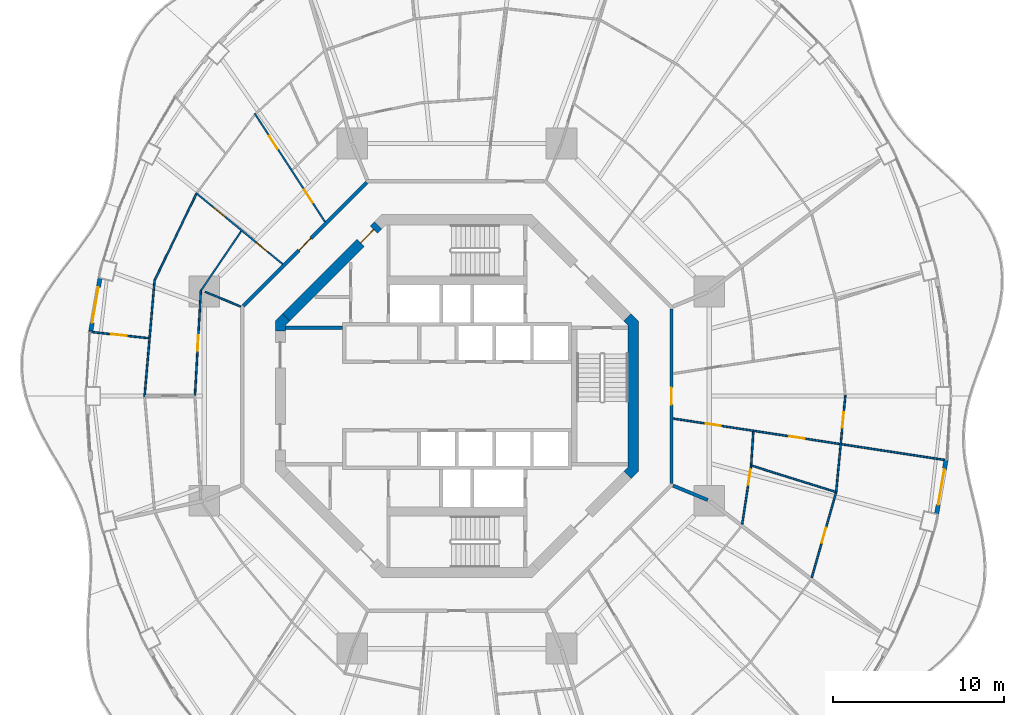
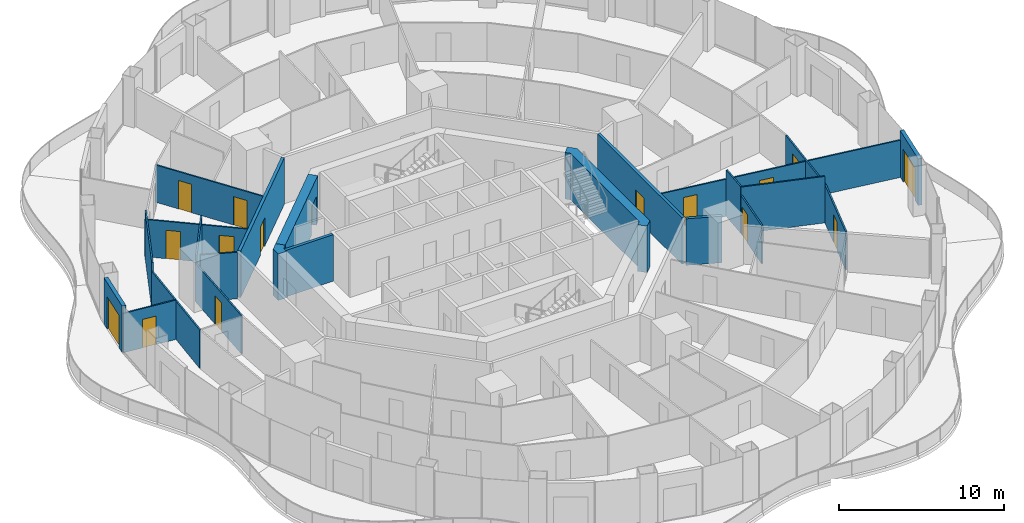
# One storey, part 13 of 19: 23 walls, 16 doors, 16 openings.
"""IFC4 building model written with IfcOpenShell, lengths in metres."""

from ifc_helpers import new_model, si_unit, direction, frame, frame_2d, origin, place, context, subcontext, project, spatial, polyline, rectangle, outline, extrude, material, layer, layer_set, type_object, element, fill, save


model = new_model("IFC4")

# Units and contexts
model_context = context("Model", 3, precision=1e-05, world=origin(), true_north=direction((0.0, 1.0)))
body_context = subcontext(model_context, "Body", "Model", "MODEL_VIEW")
ifc_project = project(units=[si_unit("LENGTHUNIT", "METRE"), si_unit("AREAUNIT", "SQUARE_METRE"), si_unit("VOLUMEUNIT", "CUBIC_METRE"), si_unit("PLANEANGLEUNIT", "RADIAN"), si_unit("MASSUNIT", "GRAM", prefix="KILO")], contexts=[model_context])

# Site, building, storey
site_placement = place(None, origin())
site = spatial("IfcSite", under=ifc_project, at=site_placement, CompositionType="ELEMENT")
building_placement = place(site_placement, origin())
building = spatial("IfcBuilding", under=site, at=building_placement, Name="Nagisa Residences", CompositionType="ELEMENT")
storey_placement = place(building_placement, frame((0.0, 0.0, 191.800048828125)))
storey = spatial("IfcBuildingStorey", under=building, at=storey_placement, Name="L48", CompositionType="ELEMENT", Elevation=191.800048828125)

# Wall
ifc_material_1 = material(Name="Gypsum board on steel studs", Category="steel")
ifc_layer_1 = layer(ifc_material_1, 0.199951171875)
ifc_layer_set_1 = layer_set([ifc_layer_1], Name="Apartment compartment wall EI60 200")
wall_type_1 = type_object("IfcWallType", Name="Apartment compartment wall EI60 200", PredefinedType="PARTITIONING", material=ifc_layer_set_1)
wall_1_placement = place(storey_placement, frame((12.6572265625, -5.24267578125, 0.0), z_axis=(0.0, 0.0, 1.0), x_axis=(0.92383017907, -0.382802560388, 0.0)))
element("IfcWall", 1, at=wall_1_placement, inside=storey, type_object=wall_type_1, Name="wall:L48:u08", PredefinedType="PARTITIONING", context=body_context, shape_type="SweptSolid", body=[
    extrude(rectangle(XDim=2.2001953125, YDim=0.199951171875, at=frame_2d((1.10009765625, 0.0))), origin(), (0.0, 0.0, 1.0), 3.43994140625),
])

# Wall, opening, door
ifc_material_2 = material(Name="Gypsum board on steel studs", Category="steel")
ifc_layer_2 = layer(ifc_material_2, 0.199951171875)
ifc_layer_set_2 = layer_set([ifc_layer_2], Name="Apartment entry wall EI60 200")
wall_type_2 = type_object("IfcWallType", Name="Apartment entry wall EI60 200", PredefinedType="PARTITIONING", material=ifc_layer_set_2)
wall_2_placement = place(storey_placement, frame((12.564697265625, -5.1044921875, 0.0), z_axis=(0.0, 0.0, 1.0), x_axis=(0.0, 1.0, 0.0)))
wall_2 = element("IfcWall", 2, at=wall_2_placement, inside=storey, type_object=wall_type_2, Name="wall:L48:u10", PredefinedType="PARTITIONING", context=body_context, shape_type="SweptSolid", body=[
    extrude(rectangle(XDim=10.208984375, YDim=0.199951171875, at=frame_2d((5.1044921875, 0.0))), origin(), (0.0, 0.0, 1.0), 3.43994140625),
])
opening_1_placement = place(wall_2_placement, frame((4.6044921875, 0.0, 0.0)))
opening_1 = element("IfcOpeningElement", 3, at=opening_1_placement, cuts=wall_2, Name="Opening L48-U22", PredefinedType="OPENING", context=body_context, shape_type="SweptSolid", body=[
    extrude(rectangle(XDim=1.0, YDim=2.10009765625, at=frame_2d((0.5, 1.050048828125))), frame((0.0, 0.10986328125, 0.0), z_axis=(0.0, -1.0, 0.0), x_axis=(1.0, 0.0, 0.0)), (0.0, 0.0, 1.0), 0.219970703125),
])
ifc_material_3 = material(Name="Timber fire door set", Category="wood")
door_type_1 = type_object("IfcDoorType", Name="Apartment entry door FD30S 1000x2100", OperationType="NOTDEFINED", PredefinedType="DOOR", material=ifc_material_3)
door_1_placement = place(opening_1_placement, frame((1.0, 0.0, 0.0), x_axis=(-1.0, 0.0, 0.0)))
door_1 = element("IfcDoor", 4, at=door_1_placement, inside=storey, type_object=door_type_1, Name="Entry door, Apartment 48C", OperationType="SINGLE_SWING_LEFT", OverallHeight=2.10009765625, OverallWidth=1.0, PredefinedType="DOOR", context=body_context, shape_type="SweptSolid", body=[
    extrude(rectangle(XDim=1.0, YDim=2.10009765625, at=frame_2d((0.5, 1.050048828125))), frame((0.0, 0.02490234375, 0.0), z_axis=(0.0, -1.0, 0.0), x_axis=(1.0, 0.0, 0.0)), (0.0, 0.0, 1.0), 0.050048828125),
])
fill(opening_1, door_1)

wall_3_placement = place(storey_placement, frame((-5.275146484375, 12.494140625, 0.0), z_axis=(0.0, 0.0, 1.0), x_axis=(-0.707106781187, -0.707106781187, 0.0)))
wall_3 = element("IfcWall", 5, at=wall_3_placement, inside=storey, type_object=wall_type_2, Name="wall:L48:u13", PredefinedType="PARTITIONING", context=body_context, shape_type="SweptSolid", body=[
    extrude(rectangle(XDim=10.209228515625, YDim=0.199951171875, at=frame_2d((5.1044921875, 0.0))), origin(), (0.0, 0.0, 1.0), 3.43994140625),
])
opening_2_placement = place(wall_3_placement, frame((4.6044921875, 0.0, 0.0)))
opening_2 = element("IfcOpeningElement", 6, at=opening_2_placement, cuts=wall_3, Name="Opening L48-U43", PredefinedType="OPENING", context=body_context, shape_type="SweptSolid", body=[
    extrude(rectangle(XDim=1.0, YDim=2.10009765625, at=frame_2d((0.5, 1.050048828125))), frame((0.0, 0.10986328125, 0.0), z_axis=(0.0, -1.0, 0.0), x_axis=(1.0, 0.0, 0.0)), (0.0, 0.0, 1.0), 0.219970703125),
])
door_2_placement = place(opening_2_placement, frame((1.0, 0.0, 0.0), x_axis=(-1.0, 0.0, 0.0)))
door_2 = element("IfcDoor", 7, at=door_2_placement, inside=storey, type_object=door_type_1, Name="Entry door, Apartment 48E", OperationType="SINGLE_SWING_RIGHT", OverallHeight=2.10009765625, OverallWidth=1.0, PredefinedType="DOOR", context=body_context, shape_type="SweptSolid", body=[
    extrude(rectangle(XDim=1.0, YDim=2.10009765625, at=frame_2d((0.5, 1.050048828125))), frame((0.0, 0.02490234375, 0.0), z_axis=(0.0, -1.0, 0.0), x_axis=(1.0, 0.0, 0.0)), (0.0, 0.0, 1.0), 0.050048828125),
])
fill(opening_2, door_2)

ifc_material_4 = material(Name="Gypsum board on steel studs", Category="steel")
ifc_layer_3 = layer(ifc_material_4, 0.10009765625)
ifc_layer_set_3 = layer_set([ifc_layer_3], Name="Apartment partition 100")
wall_type_3 = type_object("IfcWallType", Name="Apartment partition 100", PredefinedType="PARTITIONING", material=ifc_layer_set_3)
wall_4_placement = place(storey_placement, frame((22.743896484375, 0.0498046875, 0.0), z_axis=(0.0, 0.0, 1.0), x_axis=(-0.094931362305, -0.995483820286, 0.0)))
wall_4 = element("IfcWall", 8, at=wall_4_placement, inside=storey, type_object=wall_type_3, Name="wall:L48:u19", PredefinedType="PARTITIONING", context=body_context, shape_type="SweptSolid", body=[
    extrude(rectangle(XDim=5.747802734375, YDim=0.10009765625, at=frame_2d((2.8740234375, 0.0))), origin(), (0.0, 0.0, 1.0), 2.8369140625),
])
opening_3_placement = place(wall_4_placement, frame((1.011962890625, 0.0, 0.0)))
opening_3 = element("IfcOpeningElement", 9, at=opening_3_placement, cuts=wall_4, Name="Opening L48-U29", PredefinedType="OPENING", context=body_context, shape_type="SweptSolid", body=[
    extrude(rectangle(XDim=0.89990234375, YDim=2.10009765625, at=frame_2d((0.449951171875, 1.050048828125))), frame((0.0, 0.06005859375, 0.0), z_axis=(0.0, -1.0, 0.0), x_axis=(1.0, 0.0, 0.0)), (0.0, 0.0, 1.0), 0.1201171875),
])
ifc_material_5 = material(Name="Timber door set", Category="wood")
door_type_2 = type_object("IfcDoorType", Name="Apartment door 900x2100", OperationType="NOTDEFINED", PredefinedType="DOOR", material=ifc_material_5)
door_3_placement = place(opening_3_placement, origin())
door_3 = element("IfcDoor", 10, at=door_3_placement, inside=storey, type_object=door_type_2, Name="Door to family room, Apartment 48C", OperationType="SINGLE_SWING_LEFT", OverallHeight=2.10009765625, OverallWidth=0.89990234375, PredefinedType="DOOR", context=body_context, shape_type="SweptSolid", body=[
    extrude(rectangle(XDim=0.89990234375, YDim=2.10009765625, at=frame_2d((0.449951171875, 1.050048828125))), frame((0.0, 0.02490234375, 0.0), z_axis=(0.0, -1.0, 0.0), x_axis=(1.0, 0.0, 0.0)), (0.0, 0.0, 1.0), 0.050048828125),
])
fill(opening_3, door_3)

# Wall, openings, doors
wall_5_placement = place(storey_placement, frame((-7.71240234375, 10.1953125, 0.0), z_axis=(0.0, 0.0, 1.0), x_axis=(-0.544179442551, 0.838968851809, 0.0)))
wall_5 = element("IfcWall", 11, at=wall_5_placement, inside=storey, type_object=wall_type_3, Name="wall:L48:u45", PredefinedType="PARTITIONING", context=body_context, shape_type="SweptSolid", body=[
    extrude(rectangle(XDim=7.56640625, YDim=0.10009765625, at=frame_2d((3.783203125, 0.0))), origin(), (0.0, 0.0, 1.0), 2.755859375),
])
opening_4_placement = place(wall_5_placement, frame((1.3427734375, 0.0, 0.0)))
opening_4 = element("IfcOpeningElement", 12, at=opening_4_placement, cuts=wall_5, Name="Opening L48-U44", PredefinedType="OPENING", context=body_context, shape_type="SweptSolid", body=[
    extrude(rectangle(XDim=0.89990234375, YDim=2.10009765625, at=frame_2d((0.449951171875, 1.050048828125))), frame((0.0, 0.06005859375, 0.0), z_axis=(0.0, -1.0, 0.0), x_axis=(1.0, 0.0, 0.0)), (0.0, 0.0, 1.0), 0.1201171875),
])
opening_5_placement = place(wall_5_placement, frame((5.100830078125, 0.0, 0.0)))
opening_5 = element("IfcOpeningElement", 13, at=opening_5_placement, cuts=wall_5, Name="Opening L48-U46", PredefinedType="OPENING", context=body_context, shape_type="SweptSolid", body=[
    extrude(rectangle(XDim=0.89990234375, YDim=2.10009765625, at=frame_2d((0.449951171875, 1.050048828125))), frame((0.0, 0.06005859375, 0.0), z_axis=(0.0, -1.0, 0.0), x_axis=(1.0, 0.0, 0.0)), (0.0, 0.0, 1.0), 0.1201171875),
])
door_4_placement = place(opening_4_placement, frame((0.89990234375, 0.0, 0.0), x_axis=(-1.0, 0.0, 0.0)))
door_4 = element("IfcDoor", 14, at=door_4_placement, inside=storey, type_object=door_type_2, Name="Door to family bathroom, Apartment 48E", OperationType="SINGLE_SWING_LEFT", OverallHeight=2.10009765625, OverallWidth=0.89990234375, PredefinedType="DOOR", context=body_context, shape_type="SweptSolid", body=[
    extrude(rectangle(XDim=0.89990234375, YDim=2.10009765625, at=frame_2d((0.449951171875, 1.050048828125))), frame((0.0, 0.02490234375, 0.0), z_axis=(0.0, -1.0, 0.0), x_axis=(1.0, 0.0, 0.0)), (0.0, 0.0, 1.0), 0.050048828125),
])
fill(opening_4, door_4)
door_5_placement = place(opening_5_placement, frame((0.89990234375, 0.0, 0.0), x_axis=(-1.0, 0.0, 0.0)))
door_5 = element("IfcDoor", 15, at=door_5_placement, inside=storey, type_object=door_type_2, Name="Door to family bathroom, Apartment 48E", OperationType="SINGLE_SWING_LEFT", OverallHeight=2.10009765625, OverallWidth=0.89990234375, PredefinedType="DOOR", context=body_context, shape_type="SweptSolid", body=[
    extrude(rectangle(XDim=0.89990234375, YDim=2.10009765625, at=frame_2d((0.449951171875, 1.050048828125))), frame((0.0, 0.02490234375, 0.0), z_axis=(0.0, -1.0, 0.0), x_axis=(1.0, 0.0, 0.0)), (0.0, 0.0, 1.0), 0.050048828125),
])
fill(opening_5, door_5)

wall_6_placement = place(storey_placement, frame((-10.188720703125, 7.721435546875, 0.0), z_axis=(0.0, 0.0, 1.0), x_axis=(-0.773121441079, 0.634258021112, 0.0)))
wall_6 = element("IfcWall", 16, at=wall_6_placement, inside=storey, type_object=wall_type_3, Name="wall:L48:u48", PredefinedType="PARTITIONING", context=body_context, shape_type="SweptSolid", body=[
    extrude(rectangle(XDim=6.5771484375, YDim=0.10009765625, at=frame_2d((3.28857421875, 0.0))), origin(), (0.0, 0.0, 1.0), 2.755859375),
])
opening_6_placement = place(wall_6_placement, frame((1.103515625, 0.0, 0.0)))
opening_6 = element("IfcOpeningElement", 17, at=opening_6_placement, cuts=wall_6, Name="Opening L48-U45", PredefinedType="OPENING", context=body_context, shape_type="SweptSolid", body=[
    extrude(rectangle(XDim=0.89990234375, YDim=2.10009765625, at=frame_2d((0.449951171875, 1.050048828125))), frame((0.0, 0.06005859375, 0.0), z_axis=(0.0, -1.0, 0.0), x_axis=(1.0, 0.0, 0.0)), (0.0, 0.0, 1.0), 0.1201171875),
])
opening_7_placement = place(wall_6_placement, frame((4.366943359375, 0.0, 0.0)))
opening_7 = element("IfcOpeningElement", 18, at=opening_7_placement, cuts=wall_6, Name="Opening L48-U47", PredefinedType="OPENING", context=body_context, shape_type="SweptSolid", body=[
    extrude(rectangle(XDim=0.89990234375, YDim=2.10009765625, at=frame_2d((0.449951171875, 1.050048828125))), frame((0.0, 0.06005859375, 0.0), z_axis=(0.0, -1.0, 0.0), x_axis=(1.0, 0.0, 0.0)), (0.0, 0.0, 1.0), 0.1201171875),
])
door_6_placement = place(opening_6_placement, origin())
door_6 = element("IfcDoor", 19, at=door_6_placement, inside=storey, type_object=door_type_2, Name="Door to family bathroom, Apartment 48E", OperationType="SINGLE_SWING_LEFT", OverallHeight=2.10009765625, OverallWidth=0.89990234375, PredefinedType="DOOR", context=body_context, shape_type="SweptSolid", body=[
    extrude(rectangle(XDim=0.89990234375, YDim=2.10009765625, at=frame_2d((0.449951171875, 1.050048828125))), frame((0.0, 0.02490234375, 0.0), z_axis=(0.0, -1.0, 0.0), x_axis=(1.0, 0.0, 0.0)), (0.0, 0.0, 1.0), 0.050048828125),
])
fill(opening_6, door_6)
door_7_placement = place(opening_7_placement, origin())
door_7 = element("IfcDoor", 20, at=door_7_placement, inside=storey, type_object=door_type_2, Name="Door to kitchen, Apartment 48E", OperationType="SINGLE_SWING_LEFT", OverallHeight=2.10009765625, OverallWidth=0.89990234375, PredefinedType="DOOR", context=body_context, shape_type="SweptSolid", body=[
    extrude(rectangle(XDim=0.89990234375, YDim=2.10009765625, at=frame_2d((0.449951171875, 1.050048828125))), frame((0.0, 0.02490234375, 0.0), z_axis=(0.0, -1.0, 0.0), x_axis=(1.0, 0.0, 0.0)), (0.0, 0.0, 1.0), 0.050048828125),
])
fill(opening_7, door_7)

# Walls
wall_7_placement = place(storey_placement, frame((-12.61865234375, 9.650390625, 0.0), z_axis=(0.0, 0.0, 1.0), x_axis=(-0.561064907171, -0.827771810308, 0.0)))
element("IfcWall", 21, at=wall_7_placement, inside=storey, type_object=wall_type_3, Name="wall:L48:u49", PredefinedType="PARTITIONING", context=body_context, shape_type="SweptSolid", body=[
    extrude(rectangle(XDim=4.15869140625, YDim=0.10009765625, at=frame_2d((2.079345703125, 0.0))), origin(), (0.0, 0.0, 1.0), 3.43994140625),
])
wall_8_placement = place(storey_placement, frame((-15.2568359375, 11.816162109375, 0.0), z_axis=(0.0, 0.0, 1.0), x_axis=(-0.434040130629, -0.900893536997, 0.0)))
element("IfcWall", 22, at=wall_8_placement, inside=storey, type_object=wall_type_3, Name="wall:L48:u50", PredefinedType="PARTITIONING", context=body_context, shape_type="SweptSolid", body=[
    extrude(rectangle(XDim=5.557861328125, YDim=0.10009765625, at=frame_2d((2.77880859375, 0.0))), origin(), (0.0, 0.0, 1.0), 3.43994140625),
])
wall_9_placement = place(storey_placement, frame((-12.6572265625, 5.24267578125, 0.0), z_axis=(0.0, 0.0, 1.0), x_axis=(-0.923864733477, 0.382719158442, 0.0)))
element("IfcWall", 23, at=wall_9_placement, inside=storey, type_object=wall_type_3, Name="wall:L48:u51", PredefinedType="PARTITIONING", context=body_context, shape_type="SweptSolid", body=[
    extrude(rectangle(XDim=2.25, YDim=0.10009765625, at=frame_2d((1.125, 0.0))), origin(), (0.0, 0.0, 1.0), 3.43994140625),
])

# Wall, opening, door
wall_10_placement = place(storey_placement, frame((-14.97705078125, 6.216552734375, 0.0), z_axis=(0.0, 0.0, 1.0), x_axis=(-0.056325971574, -0.998412432277, 0.0)))
wall_10 = element("IfcWall", 24, at=wall_10_placement, inside=storey, type_object=wall_type_3, Name="wall:L48:u52", PredefinedType="PARTITIONING", context=body_context, shape_type="SweptSolid", body=[
    extrude(rectangle(XDim=6.176513671875, YDim=0.10009765625, at=frame_2d((3.08837890625, 0.0))), origin(), (0.0, 0.0, 1.0), 2.8369140625),
])
opening_8_placement = place(wall_10_placement, frame((2.6630859375, 0.0, 0.0)))
opening_8 = element("IfcOpeningElement", 25, at=opening_8_placement, cuts=wall_10, Name="Opening L48-U52", PredefinedType="OPENING", context=body_context, shape_type="SweptSolid", body=[
    extrude(rectangle(XDim=0.89990234375, YDim=2.10009765625, at=frame_2d((0.449951171875, 1.050048828125))), frame((0.0, 0.06005859375, 0.0), z_axis=(0.0, -1.0, 0.0), x_axis=(1.0, 0.0, 0.0)), (0.0, 0.0, 1.0), 0.1201171875),
])
door_8_placement = place(opening_8_placement, origin())
door_8 = element("IfcDoor", 26, at=door_8_placement, inside=storey, type_object=door_type_2, Name="Door to store, Apartment 48E", OperationType="SINGLE_SWING_RIGHT", OverallHeight=2.10009765625, OverallWidth=0.89990234375, PredefinedType="DOOR", context=body_context, shape_type="SweptSolid", body=[
    extrude(rectangle(XDim=0.89990234375, YDim=2.10009765625, at=frame_2d((0.449951171875, 1.050048828125))), frame((0.0, 0.02490234375, 0.0), z_axis=(0.0, -1.0, 0.0), x_axis=(1.0, 0.0, 0.0)), (0.0, 0.0, 1.0), 0.050048828125),
])
fill(opening_8, door_8)

# Wall
wall_11_placement = place(storey_placement, frame((-17.686767578125, 6.813720703125, 0.0), z_axis=(0.0, 0.0, 1.0), x_axis=(-0.086010249709, -0.996294252189, 0.0)))
element("IfcWall", 27, at=wall_11_placement, inside=storey, type_object=wall_type_3, Name="wall:L48:u53", PredefinedType="PARTITIONING", context=body_context, shape_type="SweptSolid", body=[
    extrude(rectangle(XDim=6.88916015625, YDim=0.10009765625, at=frame_2d((3.444580078125, 0.0))), origin(), (0.0, 0.0, 1.0), 2.8369140625),
])

# Wall, opening, door
wall_12_placement = place(storey_placement, frame((-18.03271484375, 3.387451171875, 0.0), z_axis=(0.0, 0.0, 1.0), x_axis=(-0.994194772207, 0.107595329438, 0.0)))
wall_12 = element("IfcWall", 28, at=wall_12_placement, inside=storey, type_object=wall_type_3, Name="wall:L48:u54", PredefinedType="PARTITIONING", context=body_context, shape_type="SweptSolid", body=[
    extrude(rectangle(XDim=3.505615234375, YDim=0.10009765625, at=frame_2d((1.7529296875, 0.0))), origin(), (0.0, 0.0, 1.0), 2.905029296875),
])
opening_9_placement = place(wall_12_placement, frame((1.302978515625, 0.0, 0.0)))
opening_9 = element("IfcOpeningElement", 29, at=opening_9_placement, cuts=wall_12, Name="Opening L48-U51", PredefinedType="OPENING", context=body_context, shape_type="SweptSolid", body=[
    extrude(rectangle(XDim=0.89990234375, YDim=2.10009765625, at=frame_2d((0.449951171875, 1.050048828125))), frame((0.0, 0.06005859375, 0.0), z_axis=(0.0, -1.0, 0.0), x_axis=(1.0, 0.0, 0.0)), (0.0, 0.0, 1.0), 0.1201171875),
])
door_9_placement = place(opening_9_placement, origin())
door_9 = element("IfcDoor", 30, at=door_9_placement, inside=storey, type_object=door_type_2, Name="Door to bedroom, Apartment 48E", OperationType="SINGLE_SWING_LEFT", OverallHeight=2.10009765625, OverallWidth=0.89990234375, PredefinedType="DOOR", context=body_context, shape_type="SweptSolid", body=[
    extrude(rectangle(XDim=0.89990234375, YDim=2.10009765625, at=frame_2d((0.449951171875, 1.050048828125))), frame((0.0, 0.02490234375, 0.0), z_axis=(0.0, -1.0, 0.0), x_axis=(1.0, 0.0, 0.0)), (0.0, 0.0, 1.0), 0.050048828125),
])
fill(opening_9, door_9)

wall_13_placement = place(storey_placement, frame((16.704345703125, -7.4931640625, 0.0), z_axis=(0.0, 0.0, 1.0), x_axis=(0.1510806336, 0.988521442434, 0.0)))
wall_13 = element("IfcWall", 31, at=wall_13_placement, inside=storey, type_object=wall_type_3, Name="wall:L48:u84", PredefinedType="PARTITIONING", context=body_context, shape_type="SweptSolid", body=[
    extrude(rectangle(XDim=3.41943359375, YDim=0.10009765625, at=frame_2d((1.709716796875, 0.0))), origin(), (0.0, 0.0, 1.0), 2.8369140625),
])
opening_10_placement = place(wall_13_placement, frame((2.33935546875, 0.0, 0.0)))
opening_10 = element("IfcOpeningElement", 32, at=opening_10_placement, cuts=wall_13, Name="Opening L48-U25", PredefinedType="OPENING", context=body_context, shape_type="SweptSolid", body=[
    extrude(rectangle(XDim=0.89990234375, YDim=2.10009765625, at=frame_2d((0.449951171875, 1.050048828125))), frame((0.0, 0.06005859375, 0.0), z_axis=(0.0, -1.0, 0.0), x_axis=(1.0, 0.0, 0.0)), (0.0, 0.0, 1.0), 0.1201171875),
])
door_10_placement = place(opening_10_placement, frame((0.89990234375, 0.0, 0.0), x_axis=(-1.0, 0.0, 0.0)))
door_10 = element("IfcDoor", 33, at=door_10_placement, inside=storey, type_object=door_type_2, Name="Door to study, Apartment 48C", OperationType="SINGLE_SWING_RIGHT", OverallHeight=2.10009765625, OverallWidth=0.89990234375, PredefinedType="DOOR", context=body_context, shape_type="SweptSolid", body=[
    extrude(rectangle(XDim=0.89990234375, YDim=2.10009765625, at=frame_2d((0.449951171875, 1.050048828125))), frame((0.0, 0.02490234375, 0.0), z_axis=(0.0, -1.0, 0.0), x_axis=(1.0, 0.0, 0.0)), (0.0, 0.0, 1.0), 0.050048828125),
])
fill(opening_10, door_10)

wall_14_placement = place(storey_placement, frame((20.77880859375, -10.625244140625, 0.0), z_axis=(0.0, 0.0, 1.0), x_axis=(0.273819702124, 0.961781040949, 0.0)))
wall_14 = element("IfcWall", 34, at=wall_14_placement, inside=storey, type_object=wall_type_3, Name="wall:L48:u85", PredefinedType="PARTITIONING", context=body_context, shape_type="SweptSolid", body=[
    extrude(rectangle(XDim=5.151611328125, YDim=0.10009765625, at=frame_2d((2.57568359375, 0.0))), origin(), (0.0, 0.0, 1.0), 2.8369140625),
])
opening_11_placement = place(wall_14_placement, frame((2.125732421875, 0.0, 0.0)))
opening_11 = element("IfcOpeningElement", 35, at=opening_11_placement, cuts=wall_14, Name="Opening L48-U28", PredefinedType="OPENING", context=body_context, shape_type="SweptSolid", body=[
    extrude(rectangle(XDim=0.89990234375, YDim=2.10009765625, at=frame_2d((0.449951171875, 1.050048828125))), frame((0.0, 0.06005859375, 0.0), z_axis=(0.0, -1.0, 0.0), x_axis=(1.0, 0.0, 0.0)), (0.0, 0.0, 1.0), 0.1201171875),
])
door_11_placement = place(opening_11_placement, frame((0.89990234375, 0.0, 0.0), x_axis=(-1.0, 0.0, 0.0)))
door_11 = element("IfcDoor", 36, at=door_11_placement, inside=storey, type_object=door_type_2, Name="Door to master bedroom, Apartment 48C", OperationType="SINGLE_SWING_LEFT", OverallHeight=2.10009765625, OverallWidth=0.89990234375, PredefinedType="DOOR", context=body_context, shape_type="SweptSolid", body=[
    extrude(rectangle(XDim=0.89990234375, YDim=2.10009765625, at=frame_2d((0.449951171875, 1.050048828125))), frame((0.0, 0.02490234375, 0.0), z_axis=(0.0, -1.0, 0.0), x_axis=(1.0, 0.0, 0.0)), (0.0, 0.0, 1.0), 0.050048828125),
])
fill(opening_11, door_11)

# Walls
wall_15_placement = place(storey_placement, frame((17.1806640625, -4.048583984375, 0.0), z_axis=(0.0, 0.0, 1.0), x_axis=(0.954246359918, -0.299021545351, 0.0)))
element("IfcWall", 37, at=wall_15_placement, inside=storey, type_object=wall_type_3, Name="wall:L48:u86", PredefinedType="PARTITIONING", context=body_context, shape_type="SweptSolid", body=[
    extrude(rectangle(XDim=5.213134765625, YDim=0.10009765625, at=frame_2d((2.6064453125, 0.0))), origin(), (0.0, 0.0, 1.0), 3.43994140625),
])
wall_16_placement = place(storey_placement, frame((17.231689453125, -4.013671875, 0.0), z_axis=(0.0, 0.0, 1.0), x_axis=(0.063689464349, 0.997969765139, 0.0)))
element("IfcWall", 38, at=wall_16_placement, inside=storey, type_object=wall_type_3, Name="wall:L48:u87", PredefinedType="PARTITIONING", context=body_context, shape_type="SweptSolid", body=[
    extrude(rectangle(XDim=1.935791015625, YDim=0.10009765625, at=frame_2d((0.9677734375, 0.0))), origin(), (0.0, 0.0, 1.0), 3.43994140625),
])

# Wall, openings, doors
wall_17_placement = place(storey_placement, frame((12.66357421875, -1.316162109375, 0.0), z_axis=(0.0, 0.0, 1.0), x_axis=(0.988585177081, -0.150663026836, 0.0)))
wall_17 = element("IfcWall", 39, at=wall_17_placement, inside=storey, type_object=wall_type_3, Name="wall:L48:u88", PredefinedType="PARTITIONING", context=body_context, shape_type="SweptSolid", body=[
    extrude(rectangle(XDim=16.239990234375, YDim=0.10009765625, at=frame_2d((8.1201171875, 0.0))), origin(), (0.0, 0.0, 1.0), 2.755859375),
])
opening_12_placement = place(wall_17_placement, frame((1.92431640625, 0.0, 0.0)))
opening_12 = element("IfcOpeningElement", 40, at=opening_12_placement, cuts=wall_17, Name="Opening L48-U23", PredefinedType="OPENING", context=body_context, shape_type="SweptSolid", body=[
    extrude(rectangle(XDim=0.89990234375, YDim=2.10009765625, at=frame_2d((0.449951171875, 1.050048828125))), frame((0.0, 0.06005859375, 0.0), z_axis=(0.0, -1.0, 0.0), x_axis=(1.0, 0.0, 0.0)), (0.0, 0.0, 1.0), 0.1201171875),
])
opening_13_placement = place(wall_17_placement, frame((6.884765625, 0.0, 0.0)))
opening_13 = element("IfcOpeningElement", 41, at=opening_13_placement, cuts=wall_17, Name="Opening L48-U26", PredefinedType="OPENING", context=body_context, shape_type="SweptSolid", body=[
    extrude(rectangle(XDim=0.89990234375, YDim=2.10009765625, at=frame_2d((0.449951171875, 1.050048828125))), frame((0.0, 0.06005859375, 0.0), z_axis=(0.0, -1.0, 0.0), x_axis=(1.0, 0.0, 0.0)), (0.0, 0.0, 1.0), 0.1201171875),
])
door_12_placement = place(opening_12_placement, frame((0.89990234375, 0.0, 0.0), x_axis=(-1.0, 0.0, 0.0)))
door_12 = element("IfcDoor", 42, at=door_12_placement, inside=storey, type_object=door_type_2, Name="Door to store, Apartment 48C", OperationType="SINGLE_SWING_RIGHT", OverallHeight=2.10009765625, OverallWidth=0.89990234375, PredefinedType="DOOR", context=body_context, shape_type="SweptSolid", body=[
    extrude(rectangle(XDim=0.89990234375, YDim=2.10009765625, at=frame_2d((0.449951171875, 1.050048828125))), frame((0.0, 0.02490234375, 0.0), z_axis=(0.0, -1.0, 0.0), x_axis=(1.0, 0.0, 0.0)), (0.0, 0.0, 1.0), 0.050048828125),
])
fill(opening_12, door_12)
door_13_placement = place(opening_13_placement, frame((0.89990234375, 0.0, 0.0), x_axis=(-1.0, 0.0, 0.0)))
door_13 = element("IfcDoor", 43, at=door_13_placement, inside=storey, type_object=door_type_2, Name="Door to family bathroom, Apartment 48C", OperationType="SINGLE_SWING_LEFT", OverallHeight=2.10009765625, OverallWidth=0.89990234375, PredefinedType="DOOR", context=body_context, shape_type="SweptSolid", body=[
    extrude(rectangle(XDim=0.89990234375, YDim=2.10009765625, at=frame_2d((0.449951171875, 1.050048828125))), frame((0.0, 0.02490234375, 0.0), z_axis=(0.0, -1.0, 0.0), x_axis=(1.0, 0.0, 0.0)), (0.0, 0.0, 1.0), 0.050048828125),
])
fill(opening_13, door_13)

# Wall, opening, door
ifc_material_6 = material(Name="Precast concrete C40/50", Category="concrete")
ifc_layer_4 = layer(ifc_material_6, 0.25)
ifc_layer_set_4 = layer_set([ifc_layer_4], Name="BALCONY DOOR WALL 250")
wall_type_4 = type_object("IfcWallType", Name="BALCONY DOOR WALL 250", PredefinedType="SOLIDWALL", material=ifc_layer_set_4)
wall_18_placement = place(storey_placement, frame((-21.434814453125, 3.747314453125, 0.0), z_axis=(0.0, 0.0, 1.0), x_axis=(0.172223552479, 0.98505789067, 0.0)))
wall_18 = element("IfcWall", 44, at=wall_18_placement, inside=storey, type_object=wall_type_4, Name="wall:L48:bay22", PredefinedType="SOLIDWALL", context=body_context, shape_type="SweptSolid", body=[
    extrude(rectangle(XDim=3.2109375, YDim=0.25, at=frame_2d((1.60546875, 0.0))), origin(), (0.0, 0.0, 1.0), 3.43994140625),
])
opening_14_placement = place(wall_18_placement, frame((0.555419921875, 0.0, 0.0)))
opening_14 = element("IfcOpeningElement", 45, at=opening_14_placement, cuts=wall_18, Name="Opening BD-L48-08", PredefinedType="OPENING", context=body_context, shape_type="SweptSolid", body=[
    extrude(rectangle(XDim=2.10009765625, YDim=2.39990234375, at=frame_2d((1.050048828125, 1.199951171875))), frame((0.0, 0.135009765625, 0.0), z_axis=(0.0, -1.0, 0.0), x_axis=(1.0, 0.0, 0.0)), (0.0, 0.0, 1.0), 0.27001953125),
])
ifc_material_7 = material(Name="Aluminium and clear glass", Category="aluminium")
door_type_3 = type_object("IfcDoorType", Name="BALCONY SLIDING DOOR 2100x2400", OperationType="SLIDING_TO_LEFT", PredefinedType="DOOR", material=ifc_material_7)
door_14_placement = place(opening_14_placement, origin())
door_14 = element("IfcDoor", 46, at=door_14_placement, inside=storey, type_object=door_type_3, Name="door:L48:bay22", OperationType="SLIDING_TO_LEFT", OverallHeight=2.39990234375, OverallWidth=2.10009765625, PredefinedType="DOOR", context=body_context, shape_type="SweptSolid", body=[
    extrude(rectangle(XDim=2.10009765625, YDim=2.39990234375, at=frame_2d((1.050048828125, 1.199951171875))), frame((0.0, 0.02490234375, 0.0), z_axis=(0.0, -1.0, 0.0), x_axis=(1.0, 0.0, 0.0)), (0.0, 0.0, 1.0), 0.050048828125),
])
fill(opening_14, door_14)

wall_19_placement = place(storey_placement, frame((28.634765625, -3.747314453125, 0.0), z_axis=(0.0, 0.0, 1.0), x_axis=(-0.172149769468, -0.985070787747, 0.0)))
wall_19 = element("IfcWall", 47, at=wall_19_placement, inside=storey, type_object=wall_type_4, Name="wall:L48:bay46", PredefinedType="SOLIDWALL", context=body_context, shape_type="SweptSolid", body=[
    extrude(rectangle(XDim=3.210693359375, YDim=0.25, at=frame_2d((1.60546875, 0.0))), origin(), (0.0, 0.0, 1.0), 3.43994140625),
])
opening_15_placement = place(wall_19_placement, frame((0.555419921875, 0.0, 0.0)))
opening_15 = element("IfcOpeningElement", 48, at=opening_15_placement, cuts=wall_19, Name="Opening BD-L48-16", PredefinedType="OPENING", context=body_context, shape_type="SweptSolid", body=[
    extrude(rectangle(XDim=2.10009765625, YDim=2.39990234375, at=frame_2d((1.050048828125, 1.199951171875))), frame((0.0, 0.135009765625, 0.0), z_axis=(0.0, -1.0, 0.0), x_axis=(1.0, 0.0, 0.0)), (0.0, 0.0, 1.0), 0.27001953125),
])
door_15_placement = place(opening_15_placement, origin())
door_15 = element("IfcDoor", 49, at=door_15_placement, inside=storey, type_object=door_type_3, Name="door:L48:bay46", OperationType="SLIDING_TO_LEFT", OverallHeight=2.39990234375, OverallWidth=2.10009765625, PredefinedType="DOOR", context=body_context, shape_type="SweptSolid", body=[
    extrude(rectangle(XDim=2.10009765625, YDim=2.39990234375, at=frame_2d((1.050048828125, 1.199951171875))), frame((0.0, 0.02490234375, 0.0), z_axis=(0.0, -1.0, 0.0), x_axis=(1.0, 0.0, 0.0)), (0.0, 0.0, 1.0), 0.050048828125),
])
fill(opening_15, door_15)

# Wall
ifc_material_8 = material(Name="Gypsum board on steel studs", Category="steel")
ifc_layer_5 = layer(ifc_material_8, 0.199951171875)
ifc_layer_set_5 = layer_set([ifc_layer_5], Name="Core partition 200")
wall_type_5 = type_object("IfcWallType", Name="Core partition 200", PredefinedType="PARTITIONING", material=ifc_layer_set_5)
wall_20_placement = place(storey_placement, frame((-10.024658203125, 4.0, 0.0), z_axis=(0.0, 0.0, 1.0), x_axis=(1.0, 0.0, 0.0)))
element("IfcWall", 50, at=wall_20_placement, inside=storey, type_object=wall_type_5, Name="wall:L48:PNW", PredefinedType="PARTITIONING", context=body_context, shape_type="SweptSolid", body=[
    extrude(rectangle(XDim=3.32470703125, YDim=0.199951171875, at=frame_2d((1.662353515625, 0.0))), origin(), (0.0, 0.0, 1.0), 3.43994140625),
])

# Wall, opening, door
ifc_material_9 = material(Name="Concrete C60", Category="concrete")
ifc_layer_6 = layer(ifc_material_9, 0.60009765625)
ifc_layer_set_6 = layer_set([ifc_layer_6], Name="Core shear wall 600")
wall_type_6 = type_object("IfcWallType", Name="Core shear wall 600", PredefinedType="SHEAR", material=ifc_layer_set_6)
wall_21_placement = place(storey_placement, frame((-4.613037109375, 9.98828125, 0.0), z_axis=(0.0, 0.0, 1.0), x_axis=(-0.707106781187, -0.707106781187, 0.0)))
wall_21 = element("IfcWall", 51, at=wall_21_placement, inside=storey, type_object=wall_type_6, Name="wall:L48:core:flat3", PredefinedType="SHEAR", context=body_context, shape_type="SweptSolid", body=[
    extrude(rectangle(XDim=7.601806640625, YDim=0.60009765625, at=frame_2d((3.80078125, 0.0))), origin(), (0.0, 0.0, 1.0), 3.43994140625),
])
opening_16_placement = place(wall_21_placement, frame((0.350830078125, 0.0, 0.0)))
opening_16 = element("IfcOpeningElement", 52, at=opening_16_placement, cuts=wall_21, Name="Opening L48-C22", PredefinedType="OPENING", context=body_context, shape_type="SweptSolid", body=[
    extrude(rectangle(XDim=1.10009765625, YDim=2.10009765625, at=frame_2d((0.550048828125, 1.050048828125))), frame((0.0, 0.31005859375, 0.0), z_axis=(0.0, -1.0, 0.0), x_axis=(1.0, 0.0, 0.0)), (0.0, 0.0, 1.0), 0.6201171875),
])
ifc_material_10 = material(Name="Steel fire door", Category="steel")
door_type_4 = type_object("IfcDoorType", Name="Fire door EI60 1100x2100 single swing", OperationType="NOTDEFINED", PredefinedType="DOOR", material=ifc_material_10)
door_16_placement = place(opening_16_placement, origin())
door_16 = element("IfcDoor", 53, at=door_16_placement, inside=storey, type_object=door_type_4, Name="Service lobby door L48", OperationType="SINGLE_SWING_RIGHT", OverallHeight=2.10009765625, OverallWidth=1.10009765625, PredefinedType="DOOR", context=body_context, shape_type="SweptSolid", body=[
    extrude(rectangle(XDim=1.10009765625, YDim=2.10009765625, at=frame_2d((0.550048828125, 1.050048828125))), frame((0.0, 0.02490234375, 0.0), z_axis=(0.0, -1.0, 0.0), x_axis=(1.0, 0.0, 0.0)), (0.0, 0.0, 1.0), 0.050048828125),
])
fill(opening_16, door_16)

# Walls
wall_22_placement = place(storey_placement, origin())
element("IfcWall", 54, at=wall_22_placement, inside=storey, type_object=wall_type_6, Name="wall:L48:core:pier3", PredefinedType="SHEAR", context=body_context, shape_type="SweptSolid", body=[
    extrude(outline(polyline([(-10.200439453125, 4.8251953125), (-9.776123046875, 4.40087890625), (-10.024658203125, 4.15234375), (-10.024658203125, 3.80078125), (-10.62451171875, 3.80078125), (-10.62451171875, 4.40087890625), (-10.200439453125, 4.8251953125)])), origin(), (0.0, 0.0, 1.0), 3.43994140625),
])
wall_23_placement = place(storey_placement, origin())
element("IfcWall", 55, at=wall_23_placement, inside=storey, type_object=wall_type_6, Name="wall:L48:core:flat0", PredefinedType="SHEAR", context=body_context, shape_type="SweptSolid", body=[
    extrude(outline(polyline([(9.776123046875, -4.40087890625), (10.024658203125, -4.15234375), (10.024658203125, -3.801025390625), (10.024658203125, 4.15234375), (9.776123046875, 4.40087890625), (10.200439453125, 4.8251953125), (10.62451171875, 4.40087890625), (10.62451171875, -4.40087890625), (10.200439453125, -4.8251953125), (9.776123046875, -4.40087890625)])), origin(), (0.0, 0.0, 1.0), 3.43994140625),
])

save(model, "model.ifc")
